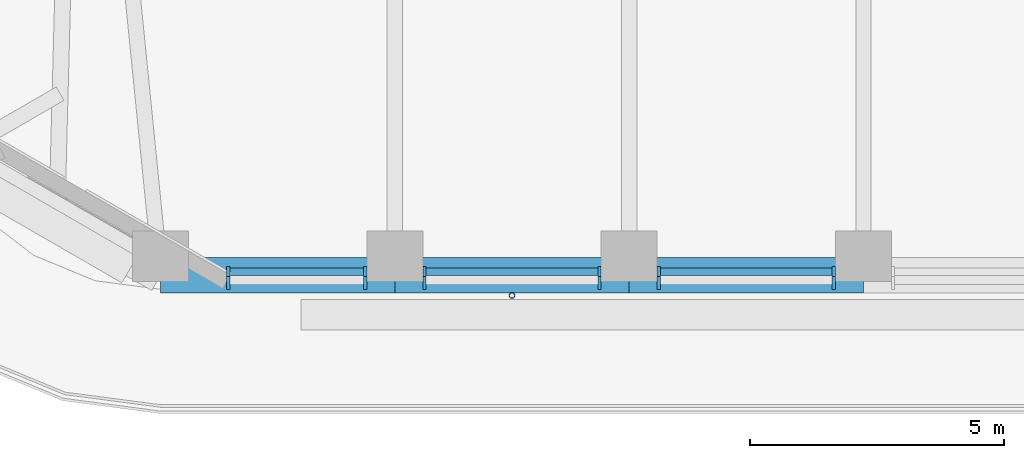
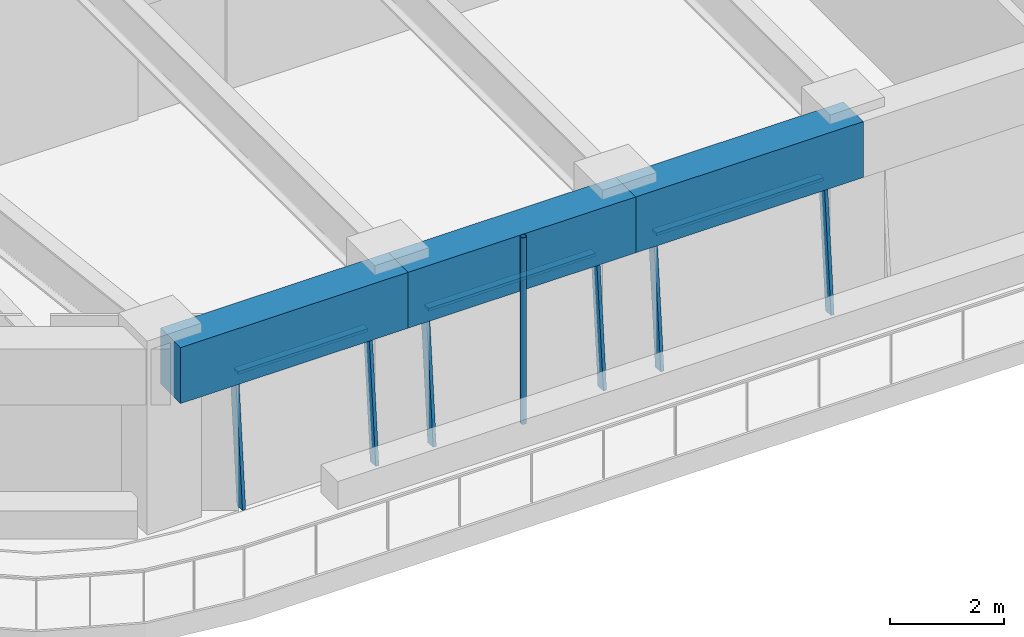
# One storey, part 2 of 20: 10 members, 3 beams, 3 elements without a shape of their own.
"""IFC4 building model written with IfcOpenShell, lengths in metres."""

from ifc_helpers import new_model, si_unit, direction, frame, origin, origin_2d, place, context, subcontext, project, spatial, rectangle, hollow_circle, extrude, material, material_profile, profile_set, type_object, element, aggregate, save


model = new_model("IFC4")

# Units and contexts
model_context = context("Model", 3, precision=1e-05, world=origin(), true_north=direction((0.0, 1.0)))
body_context = subcontext(model_context, "Body", "Model", "MODEL_VIEW")
ifc_project = project(units=[si_unit("LENGTHUNIT", "METRE"), si_unit("AREAUNIT", "SQUARE_METRE"), si_unit("VOLUMEUNIT", "CUBIC_METRE"), si_unit("PLANEANGLEUNIT", "RADIAN"), si_unit("MASSUNIT", "GRAM", prefix="KILO")], contexts=[model_context])

# Site, building, storey
site_placement = place(None, origin())
site = spatial("IfcSite", under=ifc_project, at=site_placement, CompositionType="ELEMENT")
building_placement = place(site_placement, origin())
building = spatial("IfcBuilding", under=site, at=building_placement, Name="Tarfa Lantern Tower", CompositionType="ELEMENT")
storey_placement = place(building_placement, frame((0.0, 0.0, 286.89990234375)))
storey = spatial("IfcBuildingStorey", under=building, at=storey_placement, Name="L65", CompositionType="ELEMENT", Elevation=286.89990234375)

# Curtain wall, members
ifc_material_1 = material(Name="Aluminium framed curtain wall", Category="aluminium")
curtain_wall_type = type_object("IfcCurtainWallType", Name="CW3 CANTED GLAZING HIGH ZONE 2800", PredefinedType="USERDEFINED", material=ifc_material_1)
curtain_wall_1_placement = place(storey_placement, origin())
curtain_wall_1 = element("IfcCurtainWall", 1, at=curtain_wall_1_placement, inside=storey, type_object=curtain_wall_type, Name="CW3 S L65", ObjectType="CURTAIN WALL", PredefinedType="USERDEFINED")
ifc_material_2 = material(Name="Aluminium mullion", Category="aluminium")
ifc_material_profile_1 = material_profile(ifc_material_2, rectangle(XDim=0.06494140625, YDim=0.199951171875, at=origin_2d()), Name="AL MULLION 65x200")
ifc_profile_set_1 = profile_set([ifc_material_profile_1], Name="Aluminium mullion")
member_type_1 = type_object("IfcMemberType", Name="CWM1 MULLION 65x200", PredefinedType="MULLION", material=ifc_profile_set_1)
member_1_placement = place(storey_placement, frame((-12.52392578125, -28.89990234375, 0.0), z_axis=(0.0, 0.088930399417, 0.996037842685), x_axis=(-1.0, 0.0, 0.0)))
member_1 = element("IfcMember", 2, at=member_1_placement, type_object=member_type_1, Name="CW3 mullion 1", PredefinedType="MULLION", context=body_context, shape_type="SweptSolid", body=[
    extrude(rectangle(XDim=0.06494140625, YDim=0.199951171875, at=origin_2d()), origin(), (0.0, 0.0, 1.0), 2.811279296875),
])
member_2_placement = place(storey_placement, frame((-9.820068359375, -28.89990234375, 0.0), z_axis=(0.0, 0.088930399417, 0.996037842685), x_axis=(-1.0, 0.0, 0.0)))
member_2 = element("IfcMember", 3, at=member_2_placement, type_object=member_type_1, Name="CW3 mullion 2", PredefinedType="MULLION", context=body_context, shape_type="SweptSolid", body=[
    extrude(rectangle(XDim=0.06494140625, YDim=0.199951171875, at=origin_2d()), origin(), (0.0, 0.0, 1.0), 2.811279296875),
])

curtain_wall_2_placement = place(storey_placement, origin())
curtain_wall_2 = element("IfcCurtainWall", 4, at=curtain_wall_2_placement, inside=storey, type_object=curtain_wall_type, Name="CW3 S L65", ObjectType="CURTAIN WALL", PredefinedType="USERDEFINED")
member_3_placement = place(storey_placement, frame((-8.655029296875, -28.89990234375, 0.0), z_axis=(0.0, 0.088930399417, 0.996037842685), x_axis=(-1.0, 0.0, 0.0)))
member_3 = element("IfcMember", 5, at=member_3_placement, type_object=member_type_1, Name="CW3 mullion 1", PredefinedType="MULLION", context=body_context, shape_type="SweptSolid", body=[
    extrude(rectangle(XDim=0.06494140625, YDim=0.199951171875, at=origin_2d()), origin(), (0.0, 0.0, 1.0), 2.811279296875),
])
member_4_placement = place(storey_placement, frame((-5.201416015625, -28.89990234375, 0.0), z_axis=(0.0, 0.088930399417, 0.996037842685), x_axis=(-1.0, 0.0, 0.0)))
member_4 = element("IfcMember", 6, at=member_4_placement, type_object=member_type_1, Name="CW3 mullion 2", PredefinedType="MULLION", context=body_context, shape_type="SweptSolid", body=[
    extrude(rectangle(XDim=0.06494140625, YDim=0.199951171875, at=origin_2d()), origin(), (0.0, 0.0, 1.0), 2.811279296875),
])

curtain_wall_3_placement = place(storey_placement, origin())
curtain_wall_3 = element("IfcCurtainWall", 7, at=curtain_wall_3_placement, inside=storey, type_object=curtain_wall_type, Name="CW3 S L65", ObjectType="CURTAIN WALL", PredefinedType="USERDEFINED")
member_5_placement = place(storey_placement, frame((-4.036376953125, -28.89990234375, 0.0), z_axis=(0.0, 0.088930399417, 0.996037842685), x_axis=(-1.0, 0.0, 0.0)))
member_5 = element("IfcMember", 8, at=member_5_placement, type_object=member_type_1, Name="CW3 mullion 1", PredefinedType="MULLION", context=body_context, shape_type="SweptSolid", body=[
    extrude(rectangle(XDim=0.06494140625, YDim=0.199951171875, at=origin_2d()), origin(), (0.0, 0.0, 1.0), 2.811279296875),
])
member_6_placement = place(storey_placement, frame((-0.58251953125, -28.89990234375, 0.0), z_axis=(0.0, 0.088930399417, 0.996037842685), x_axis=(-1.0, 0.0, 0.0)))
member_6 = element("IfcMember", 9, at=member_6_placement, type_object=member_type_1, Name="CW3 mullion 2", PredefinedType="MULLION", context=body_context, shape_type="SweptSolid", body=[
    extrude(rectangle(XDim=0.06494140625, YDim=0.199951171875, at=origin_2d()), origin(), (0.0, 0.0, 1.0), 2.811279296875),
])

# Member
ifc_material_3 = material(Name="Aluminium transom", Category="aluminium")
ifc_material_profile_2 = material_profile(ifc_material_3, rectangle(XDim=0.14990234375, YDim=0.06494140625, at=origin_2d()), Name="AL TRANSOM 150x65")
ifc_profile_set_2 = profile_set([ifc_material_profile_2], Name="Aluminium transom")
member_type_2 = type_object("IfcMemberType", Name="CWT1 TRANSOM 150x65", PredefinedType="USERDEFINED", material=ifc_profile_set_2)
member_7_placement = place(storey_placement, frame((-12.491455078125, -28.65283203125, 2.767578125), z_axis=(1.0, 0.0, 0.0), x_axis=(0.0, 1.0, 0.0)))
member_7 = element("IfcMember", 10, at=member_7_placement, type_object=member_type_2, Name="CW3 transom 1.2", ObjectType="TRANSOM", PredefinedType="USERDEFINED", context=body_context, shape_type="SweptSolid", body=[
    extrude(rectangle(XDim=0.14990234375, YDim=0.06494140625, at=origin_2d()), origin(), (0.0, 0.0, 1.0), 2.638916015625),
])

aggregate(curtain_wall_1, [member_1, member_2, member_7])

member_8_placement = place(storey_placement, frame((-8.62255859375, -28.65283203125, 2.767578125), z_axis=(1.0, 0.0, 0.0), x_axis=(0.0, 1.0, 0.0)))
member_8 = element("IfcMember", 11, at=member_8_placement, type_object=member_type_2, Name="CW3 transom 1.2", ObjectType="TRANSOM", PredefinedType="USERDEFINED", context=body_context, shape_type="SweptSolid", body=[
    extrude(rectangle(XDim=0.14990234375, YDim=0.06494140625, at=origin_2d()), origin(), (0.0, 0.0, 1.0), 3.388671875),
])

aggregate(curtain_wall_2, [member_3, member_4, member_8])

member_9_placement = place(storey_placement, frame((-4.00390625, -28.65283203125, 2.767578125), z_axis=(1.0, 0.0, 0.0), x_axis=(0.0, 1.0, 0.0)))
member_9 = element("IfcMember", 12, at=member_9_placement, type_object=member_type_2, Name="CW3 transom 1.2", ObjectType="TRANSOM", PredefinedType="USERDEFINED", context=body_context, shape_type="SweptSolid", body=[
    extrude(rectangle(XDim=0.14990234375, YDim=0.06494140625, at=origin_2d()), origin(), (0.0, 0.0, 1.0), 3.388916015625),
])

aggregate(curtain_wall_3, [member_5, member_6, member_9])

# Beams
ifc_material_4 = material(Name="Concrete C80/95", Category="concrete")
ifc_material_profile_3 = material_profile(ifc_material_4, rectangle(XDim=0.699951171875, YDim=1.199951171875, at=origin_2d()), Name="RC 700x1200")
ifc_profile_set_3 = profile_set([ifc_material_profile_3], Name="Concrete C80/95")
beam_type = type_object("IfcBeamType", Name="EB3 RC 700x1200", PredefinedType="SPANDREL", material=ifc_profile_set_3)
beam_1_placement = place(storey_placement, frame((-13.8564453125, -28.719970703125, 3.400146484375), z_axis=(1.0, 0.0, 0.0), x_axis=(0.0, 1.0, 0.0)))
element("IfcBeam", 13, at=beam_1_placement, inside=storey, type_object=beam_type, Name="Edge beam S0", PredefinedType="SPANDREL", context=body_context, shape_type="SweptSolid", body=[
    extrude(rectangle(XDim=0.699951171875, YDim=1.199951171875, at=origin_2d()), origin(), (0.0, 0.0, 1.0), 4.618896484375),
])
beam_2_placement = place(storey_placement, frame((-9.237548828125, -28.719970703125, 3.400146484375), z_axis=(1.0, 0.0, 0.0), x_axis=(0.0, 1.0, 0.0)))
element("IfcBeam", 14, at=beam_2_placement, inside=storey, type_object=beam_type, Name="Edge beam S1", PredefinedType="SPANDREL", context=body_context, shape_type="SweptSolid", body=[
    extrude(rectangle(XDim=0.699951171875, YDim=1.199951171875, at=origin_2d()), origin(), (0.0, 0.0, 1.0), 4.61865234375),
])
beam_3_placement = place(storey_placement, frame((-4.618896484375, -28.719970703125, 3.400146484375), z_axis=(1.0, 0.0, 0.0), x_axis=(0.0, 1.0, 0.0)))
element("IfcBeam", 15, at=beam_3_placement, inside=storey, type_object=beam_type, Name="Edge beam S2", PredefinedType="SPANDREL", context=body_context, shape_type="SweptSolid", body=[
    extrude(rectangle(XDim=0.699951171875, YDim=1.199951171875, at=origin_2d()), origin(), (0.0, 0.0, 1.0), 4.618896484375),
])

# Member
ifc_material_5 = material(Name="Steel S355", Category="steel")
ifc_material_profile_4 = material_profile(ifc_material_5, hollow_circle(Radius=0.05712890625, WallThickness=0.00634765625, at=origin_2d()), Name="CHS114.3x6.3")
ifc_profile_set_4 = profile_set([ifc_material_profile_4], Name="Steel S355")
member_type_3 = type_object("IfcMemberType", Name="TR1 GREEN WALL TRELLIS CHS114.3x6.3", PredefinedType="USERDEFINED", material=ifc_profile_set_4)
member_10_placement = place(storey_placement, frame((-6.92822265625, -29.1201171875, 0.0), z_axis=(0.0, 0.0, 1.0), x_axis=(1.0, 0.0, 0.0)))
element("IfcMember", 16, at=member_10_placement, inside=storey, type_object=member_type_3, Name="Trellis post S 1", ObjectType="TRELLIS", PredefinedType="USERDEFINED", context=body_context, shape_type="SweptSolid", body=[
    extrude(hollow_circle(Radius=0.05712890625, WallThickness=0.00634765625, at=origin_2d()), origin(), (0.0, 0.0, 1.0), 4.0),
])

save(model, "model.ifc")
